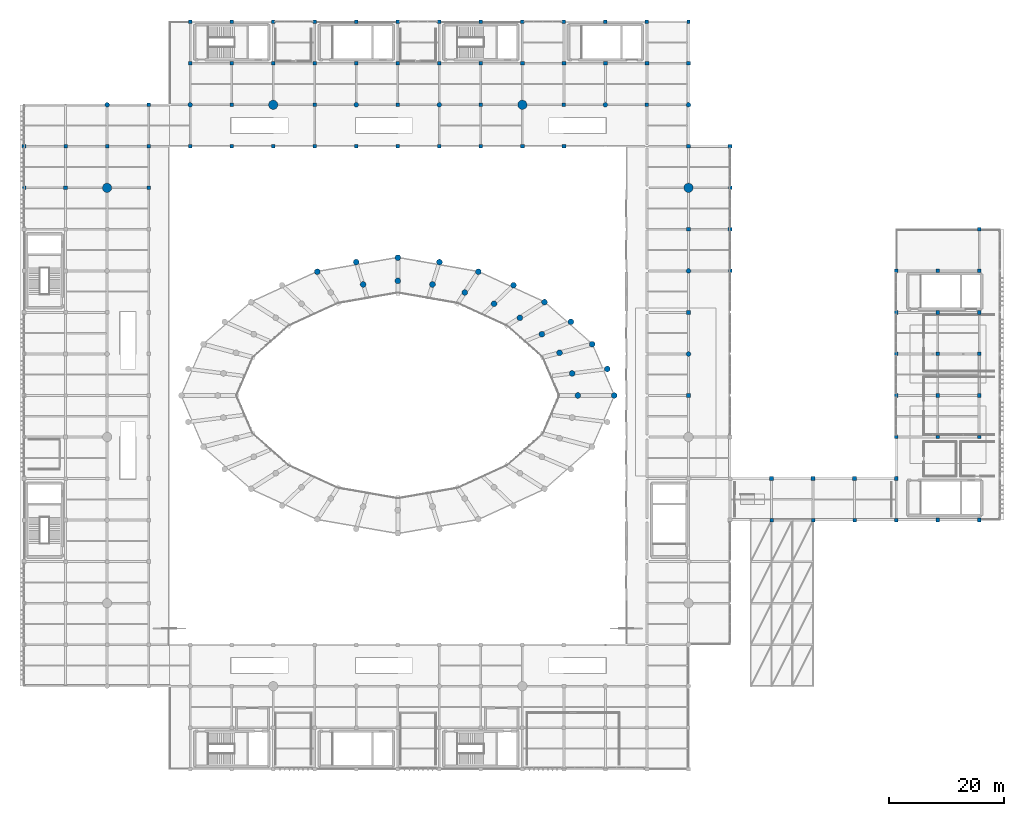
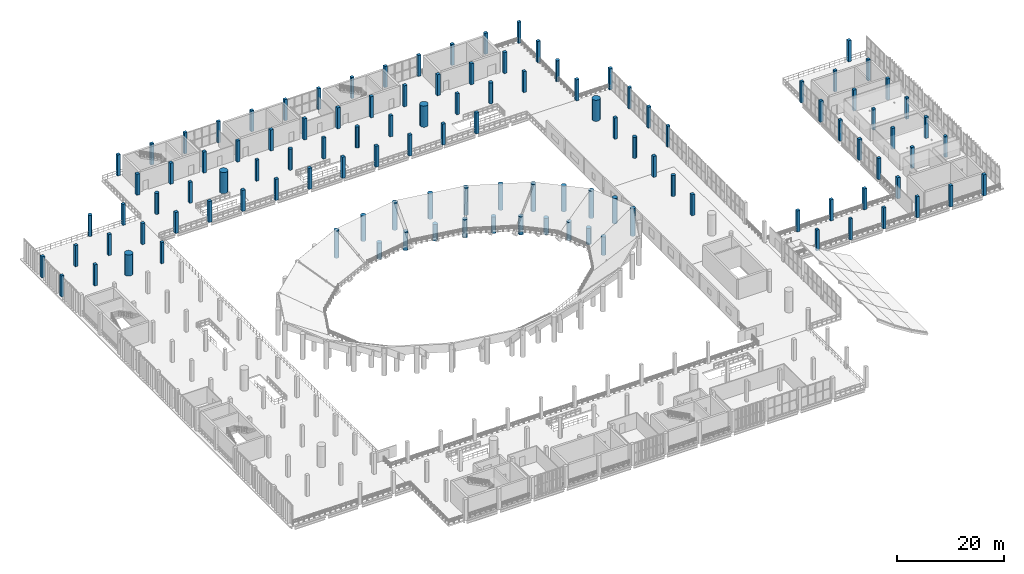
# One storey, part 2 of 105: 117 columns.
"""IFC4 building model written with IfcOpenShell, lengths in metres."""

from ifc_helpers import new_model, si_unit, direction, frame, origin, origin_2d, place, context, subcontext, project, spatial, rectangle, circle, extrude, material, material_profile, profile_set, type_object, element, save


model = new_model("IFC4")

# Units and contexts
model_context = context("Model", 3, precision=1e-05, world=origin(), true_north=direction((0.0, 1.0)))
body_context = subcontext(model_context, "Body", "Model", "MODEL_VIEW")
ifc_project = project(units=[si_unit("LENGTHUNIT", "METRE"), si_unit("AREAUNIT", "SQUARE_METRE"), si_unit("VOLUMEUNIT", "CUBIC_METRE"), si_unit("PLANEANGLEUNIT", "RADIAN"), si_unit("MASSUNIT", "GRAM", prefix="KILO")], contexts=[model_context])

# Site, building, storey
site_placement = place(None, origin())
site = spatial("IfcSite", under=ifc_project, at=site_placement, CompositionType="ELEMENT")
building_placement = place(site_placement, origin())
building = spatial("IfcBuilding", under=site, at=building_placement, Name="Qandorah Velis Arena", CompositionType="ELEMENT")
storey_placement = place(building_placement, frame((0.0, 0.0, 13.800048828125)))
storey = spatial("IfcBuildingStorey", under=building, at=storey_placement, Name="L03", CompositionType="ELEMENT", Elevation=13.800048828125)

# Columns
ifc_material_1 = material(Name="Concrete C50/60", Category="concrete")
ifc_material_profile_1 = material_profile(ifc_material_1, circle(Radius=0.800048828125, at=origin_2d()), Name="MC D1600")
ifc_profile_set_1 = profile_set([ifc_material_profile_1], Name="Concrete C50/60")
column_type_1 = type_object("IfcColumnType", Name="STR-COL-MC1600", PredefinedType="COLUMN", material=ifc_profile_set_1)
for number, where, z_axis, x_axis, name in (
    (1, (14.39990234375, 100.800048828125, 0.0), (0.0, 0.0, 1.0), (1.0, 0.0, 0.0), "Mega column MC3 (L03)"),
    (2, (43.199951171875, 115.199951171875, 0.0), (0.0, 0.0, 1.0), (1.0, 0.0, 0.0), "Mega column MC6 (L03)"),
    (3, (86.39990234375, 115.199951171875, 0.0), (0.0, 0.0, 1.0), (1.0, 0.0, 0.0), "Mega column MC7 (L03)"),
    (4, (115.199951171875, 100.800048828125, 0.0), (0.0, 0.0, 1.0), (1.0, 0.0, 0.0), "Mega column MC10 (L03)"),
):
    element("IfcColumn", number, at=place(storey_placement, frame(where, z_axis=z_axis, x_axis=x_axis)), inside=storey, type_object=column_type_1, Name=name, PredefinedType="COLUMN", context=body_context, shape_type="SweptSolid", body=[
        extrude(circle(Radius=0.800048828125, at=origin_2d()), origin(), (0.0, 0.0, 1.0), 4.800048828125),
    ])
ifc_material_2 = material(Name="Concrete C40/50", Category="concrete")
ifc_material_profile_2 = material_profile(ifc_material_2, rectangle(XDim=0.60009765625, YDim=0.60009765625, at=origin_2d()), Name="RC COL 600x600")
ifc_profile_set_2 = profile_set([ifc_material_profile_2], Name="Concrete C40/50")
column_type_2 = type_object("IfcColumnType", Name="STR-COL-RC600", PredefinedType="COLUMN", material=ifc_profile_set_2)
for number, where, z_axis, x_axis, name in (
    (5, (0.0, 100.800048828125, 0.0), (0.0, 0.0, 1.0), (1.0, 0.0, 0.0), "Structural column L03-011"),
    (6, (7.199951171875, 108.0, 0.0), (0.0, 0.0, 1.0), (1.0, 0.0, 0.0), "Structural column L03-025"),
    (7, (14.39990234375, 108.0, 0.0), (0.0, 0.0, 1.0), (1.0, 0.0, 0.0), "Structural column L03-039"),
    (8, (21.60009765625, 100.800048828125, 0.0), (0.0, 0.0, 1.0), (1.0, 0.0, 0.0), "Structural column L03-053"),
    (9, (21.60009765625, 115.199951171875, 0.0), (0.0, 0.0, 1.0), (1.0, 0.0, 0.0), "Structural column L03-055"),
    (10, (28.800048828125, 129.60009765625, 0.0), (0.0, 0.0, 1.0), (1.0, 0.0, 0.0), "Structural column L03-063"),
    (11, (36.0, 115.199951171875, 0.0), (0.0, 0.0, 1.0), (1.0, 0.0, 0.0), "Structural column L03-069"),
    (12, (36.0, 129.60009765625, 0.0), (0.0, 0.0, 1.0), (1.0, 0.0, 0.0), "Structural column L03-071"),
    (13, (43.199951171875, 129.60009765625, 0.0), (0.0, 0.0, 1.0), (1.0, 0.0, 0.0), "Structural column L03-079"),
    (14, (50.39990234375, 115.199951171875, 0.0), (0.0, 0.0, 1.0), (1.0, 0.0, 0.0), "Structural column L03-085"),
    (15, (50.39990234375, 129.60009765625, 0.0), (0.0, 0.0, 1.0), (1.0, 0.0, 0.0), "Structural column L03-087"),
    (16, (57.60009765625, 129.60009765625, 0.0), (0.0, 0.0, 1.0), (1.0, 0.0, 0.0), "Structural column L03-095"),
    (17, (64.800048828125, 115.199951171875, 0.0), (0.0, 0.0, 1.0), (1.0, 0.0, 0.0), "Structural column L03-101"),
    (18, (64.800048828125, 129.60009765625, 0.0), (0.0, 0.0, 1.0), (1.0, 0.0, 0.0), "Structural column L03-103"),
    (19, (72.0, 129.60009765625, 0.0), (0.0, 0.0, 1.0), (1.0, 0.0, 0.0), "Structural column L03-111"),
    (20, (79.199951171875, 115.199951171875, 0.0), (0.0, 0.0, 1.0), (1.0, 0.0, 0.0), "Structural column L03-117"),
    (21, (79.199951171875, 129.60009765625, 0.0), (0.0, 0.0, 1.0), (1.0, 0.0, 0.0), "Structural column L03-119"),
    (22, (86.39990234375, 129.60009765625, 0.0), (0.0, 0.0, 1.0), (1.0, 0.0, 0.0), "Structural column L03-127"),
    (23, (93.60009765625, 115.199951171875, 0.0), (0.0, 0.0, 1.0), (1.0, 0.0, 0.0), "Structural column L03-133"),
    (24, (93.60009765625, 129.60009765625, 0.0), (0.0, 0.0, 1.0), (1.0, 0.0, 0.0), "Structural column L03-135"),
    (25, (100.800048828125, 129.60009765625, 0.0), (0.0, 0.0, 1.0), (1.0, 0.0, 0.0), "Structural column L03-141"),
    (26, (108.0, 115.199951171875, 0.0), (0.0, 0.0, 1.0), (1.0, 0.0, 0.0), "Structural column L03-145"),
    (27, (108.0, 129.60009765625, 0.0), (0.0, 0.0, 1.0), (1.0, 0.0, 0.0), "Structural column L03-147"),
    (28, (115.199951171875, 129.60009765625, 0.0), (0.0, 0.0, 1.0), (1.0, 0.0, 0.0), "Structural column L03-165"),
    (29, (122.39990234375, 86.39990234375, 0.0), (0.0, 0.0, 1.0), (1.0, 0.0, 0.0), "Structural column L03-169"),
    (30, (122.39990234375, 100.800048828125, 0.0), (0.0, 0.0, 1.0), (1.0, 0.0, 0.0), "Structural column L03-171"),
    (31, (129.60009765625, 43.199951171875, 0.0), (0.0, 0.0, 1.0), (1.0, 0.0, 0.0), "Structural column L03-173"),
    (32, (136.800048828125, 43.199951171875, 0.0), (0.0, 0.0, 1.0), (1.0, 0.0, 0.0), "Structural column L03-175"),
    (33, (144.0, 43.199951171875, 0.0), (0.0, 0.0, 1.0), (1.0, 0.0, 0.0), "Structural column L03-177"),
    (34, (151.199951171875, 43.199951171875, 0.0), (0.0, 0.0, 1.0), (1.0, 0.0, 0.0), "Structural column L03-179"),
    (35, (151.199951171875, 57.60009765625, 0.0), (0.0, 0.0, 1.0), (1.0, 0.0, 0.0), "Structural column L03-181"),
    (36, (151.199951171875, 72.0, 0.0), (0.0, 0.0, 1.0), (1.0, 0.0, 0.0), "Structural column L03-183"),
    (37, (151.199951171875, 86.39990234375, 0.0), (0.0, 0.0, 1.0), (1.0, 0.0, 0.0), "Structural column L03-185"),
    (38, (158.39990234375, 57.60009765625, 0.0), (0.0, 0.0, 1.0), (1.0, 0.0, 0.0), "Structural column L03-187"),
    (39, (158.39990234375, 72.0, 0.0), (0.0, 0.0, 1.0), (1.0, 0.0, 0.0), "Structural column L03-189"),
    (40, (158.39990234375, 86.39990234375, 0.0), (0.0, 0.0, 1.0), (1.0, 0.0, 0.0), "Structural column L03-191"),
    (41, (165.60009765625, 57.60009765625, 0.0), (0.0, 0.0, 1.0), (1.0, 0.0, 0.0), "Structural column L03-193"),
    (42, (165.60009765625, 72.0, 0.0), (0.0, 0.0, 1.0), (1.0, 0.0, 0.0), "Structural column L03-195"),
    (43, (165.60009765625, 86.39990234375, 0.0), (0.0, 0.0, 1.0), (1.0, 0.0, 0.0), "Structural column L03-197"),
):
    element("IfcColumn", number, at=place(storey_placement, frame(where, z_axis=z_axis, x_axis=x_axis)), inside=storey, type_object=column_type_2, Name=name, PredefinedType="COLUMN", context=body_context, shape_type="SweptSolid", body=[
        extrude(rectangle(XDim=0.60009765625, YDim=0.60009765625, at=origin_2d()), origin(), (0.0, 0.0, 1.0), 4.800048828125),
    ])
ifc_material_profile_3 = material_profile(ifc_material_2, rectangle(XDim=0.64990234375, YDim=0.64990234375, at=origin_2d()), Name="RC COL 650x650")
ifc_profile_set_3 = profile_set([ifc_material_profile_3], Name="Concrete C40/50")
column_type_3 = type_object("IfcColumnType", Name="STR-COL-RC650", PredefinedType="COLUMN", material=ifc_profile_set_3)
for number, where, z_axis, x_axis, name in (
    (44, (0.0, 108.0, 0.0), (0.0, 0.0, 1.0), (1.0, 0.0, 0.0), "Structural column L03-012"),
    (45, (7.199951171875, 100.800048828125, 0.0), (0.0, 0.0, 1.0), (1.0, 0.0, 0.0), "Structural column L03-024"),
    (46, (21.60009765625, 108.0, 0.0), (0.0, 0.0, 1.0), (1.0, 0.0, 0.0), "Structural column L03-054"),
    (47, (28.800048828125, 108.0, 0.0), (0.0, 0.0, 1.0), (1.0, 0.0, 0.0), "Structural column L03-060"),
    (48, (28.800048828125, 122.39990234375, 0.0), (0.0, 0.0, 1.0), (1.0, 0.0, 0.0), "Structural column L03-062"),
    (49, (36.0, 108.0, 0.0), (0.0, 0.0, 1.0), (1.0, 0.0, 0.0), "Structural column L03-068"),
    (50, (36.0, 122.39990234375, 0.0), (0.0, 0.0, 1.0), (1.0, 0.0, 0.0), "Structural column L03-070"),
    (51, (43.199951171875, 108.0, 0.0), (0.0, 0.0, 1.0), (1.0, 0.0, 0.0), "Structural column L03-076"),
    (52, (43.199951171875, 122.39990234375, 0.0), (0.0, 0.0, 1.0), (1.0, 0.0, 0.0), "Structural column L03-078"),
    (53, (50.39990234375, 108.0, 0.0), (0.0, 0.0, 1.0), (1.0, 0.0, 0.0), "Structural column L03-084"),
    (54, (50.39990234375, 122.39990234375, 0.0), (0.0, 0.0, 1.0), (1.0, 0.0, 0.0), "Structural column L03-086"),
    (55, (57.60009765625, 108.0, 0.0), (0.0, 0.0, 1.0), (1.0, 0.0, 0.0), "Structural column L03-092"),
    (56, (57.60009765625, 122.39990234375, 0.0), (0.0, 0.0, 1.0), (1.0, 0.0, 0.0), "Structural column L03-094"),
    (57, (64.800048828125, 108.0, 0.0), (0.0, 0.0, 1.0), (1.0, 0.0, 0.0), "Structural column L03-100"),
    (58, (64.800048828125, 122.39990234375, 0.0), (0.0, 0.0, 1.0), (1.0, 0.0, 0.0), "Structural column L03-102"),
    (59, (72.0, 108.0, 0.0), (0.0, 0.0, 1.0), (1.0, 0.0, 0.0), "Structural column L03-108"),
    (60, (72.0, 122.39990234375, 0.0), (0.0, 0.0, 1.0), (1.0, 0.0, 0.0), "Structural column L03-110"),
    (61, (79.199951171875, 108.0, 0.0), (0.0, 0.0, 1.0), (1.0, 0.0, 0.0), "Structural column L03-116"),
    (62, (79.199951171875, 122.39990234375, 0.0), (0.0, 0.0, 1.0), (1.0, 0.0, 0.0), "Structural column L03-118"),
    (63, (86.39990234375, 108.0, 0.0), (0.0, 0.0, 1.0), (1.0, 0.0, 0.0), "Structural column L03-124"),
    (64, (86.39990234375, 122.39990234375, 0.0), (0.0, 0.0, 1.0), (1.0, 0.0, 0.0), "Structural column L03-126"),
    (65, (93.60009765625, 108.0, 0.0), (0.0, 0.0, 1.0), (1.0, 0.0, 0.0), "Structural column L03-132"),
    (66, (93.60009765625, 122.39990234375, 0.0), (0.0, 0.0, 1.0), (1.0, 0.0, 0.0), "Structural column L03-134"),
    (67, (100.800048828125, 122.39990234375, 0.0), (0.0, 0.0, 1.0), (1.0, 0.0, 0.0), "Structural column L03-140"),
    (68, (108.0, 122.39990234375, 0.0), (0.0, 0.0, 1.0), (1.0, 0.0, 0.0), "Structural column L03-146"),
    (69, (115.199951171875, 64.800048828125, 0.0), (0.0, 0.0, 1.0), (1.0, 0.0, 0.0), "Structural column L03-156"),
    (70, (115.199951171875, 79.199951171875, 0.0), (0.0, 0.0, 1.0), (1.0, 0.0, 0.0), "Structural column L03-158"),
    (71, (115.199951171875, 93.60009765625, 0.0), (0.0, 0.0, 1.0), (1.0, 0.0, 0.0), "Structural column L03-160"),
    (72, (115.199951171875, 108.0, 0.0), (0.0, 0.0, 1.0), (1.0, 0.0, 0.0), "Structural column L03-162"),
    (73, (115.199951171875, 122.39990234375, 0.0), (0.0, 0.0, 1.0), (1.0, 0.0, 0.0), "Structural column L03-164"),
    (74, (122.39990234375, 93.60009765625, 0.0), (0.0, 0.0, 1.0), (1.0, 0.0, 0.0), "Structural column L03-170"),
    (75, (122.39990234375, 108.0, 0.0), (0.0, 0.0, 1.0), (1.0, 0.0, 0.0), "Structural column L03-172"),
    (76, (129.60009765625, 50.39990234375, 0.0), (0.0, 0.0, 1.0), (1.0, 0.0, 0.0), "Structural column L03-174"),
    (77, (136.800048828125, 50.39990234375, 0.0), (0.0, 0.0, 1.0), (1.0, 0.0, 0.0), "Structural column L03-176"),
    (78, (144.0, 50.39990234375, 0.0), (0.0, 0.0, 1.0), (1.0, 0.0, 0.0), "Structural column L03-178"),
    (79, (151.199951171875, 50.39990234375, 0.0), (0.0, 0.0, 1.0), (1.0, 0.0, 0.0), "Structural column L03-180"),
    (80, (151.199951171875, 64.800048828125, 0.0), (0.0, 0.0, 1.0), (1.0, 0.0, 0.0), "Structural column L03-182"),
    (81, (151.199951171875, 79.199951171875, 0.0), (0.0, 0.0, 1.0), (1.0, 0.0, 0.0), "Structural column L03-184"),
    (82, (158.39990234375, 43.199951171875, 0.0), (0.0, 0.0, 1.0), (1.0, 0.0, 0.0), "Structural column L03-186"),
    (83, (158.39990234375, 64.800048828125, 0.0), (0.0, 0.0, 1.0), (1.0, 0.0, 0.0), "Structural column L03-188"),
    (84, (158.39990234375, 79.199951171875, 0.0), (0.0, 0.0, 1.0), (1.0, 0.0, 0.0), "Structural column L03-190"),
    (85, (165.60009765625, 43.199951171875, 0.0), (0.0, 0.0, 1.0), (1.0, 0.0, 0.0), "Structural column L03-192"),
    (86, (165.60009765625, 64.800048828125, 0.0), (0.0, 0.0, 1.0), (1.0, 0.0, 0.0), "Structural column L03-194"),
    (87, (165.60009765625, 79.199951171875, 0.0), (0.0, 0.0, 1.0), (1.0, 0.0, 0.0), "Structural column L03-196"),
    (88, (165.60009765625, 93.60009765625, 0.0), (0.0, 0.0, 1.0), (1.0, 0.0, 0.0), "Structural column L03-198"),
):
    element("IfcColumn", number, at=place(storey_placement, frame(where, z_axis=z_axis, x_axis=x_axis)), inside=storey, type_object=column_type_3, Name=name, PredefinedType="COLUMN", context=body_context, shape_type="SweptSolid", body=[
        extrude(rectangle(XDim=0.64990234375, YDim=0.64990234375, at=origin_2d()), origin(), (0.0, 0.0, 1.0), 4.800048828125),
    ])
ifc_material_profile_4 = material_profile(ifc_material_2, circle(Radius=0.5, at=origin_2d()), Name="RC D1000")
ifc_profile_set_4 = profile_set([ifc_material_profile_4], Name="Concrete C40/50")
column_type_4 = type_object("IfcColumnType", Name="STR-COL-RCD1000", PredefinedType="COLUMN", material=ifc_profile_set_4)
column_1_placement = place(storey_placement, frame((96.02001953125, 64.800048828125, -2.255126953125), z_axis=(0.0, 0.0, 1.0), x_axis=(1.0, 0.0, 0.0)))
element("IfcColumn", 89, at=column_1_placement, inside=storey, type_object=column_type_4, Name="Upper raker fulcrum column L03 1.1", PredefinedType="COLUMN", context=body_context, shape_type="SweptSolid", body=[
    extrude(circle(Radius=0.5, at=origin_2d()), origin(), (0.0, 0.0, 1.0), 4.189697265625),
])
column_2_placement = place(storey_placement, frame((102.320068359375, 64.800048828125, -0.09033203125), z_axis=(0.0, 0.0, 1.0), x_axis=(1.0, 0.0, 0.0)))
element("IfcColumn", 90, at=column_2_placement, inside=storey, type_object=column_type_4, Name="Outer bowl raker column L03 1.1", PredefinedType="COLUMN", context=body_context, shape_type="SweptSolid", body=[
    extrude(circle(Radius=0.5, at=origin_2d()), origin(), (0.0, 0.0, 1.0), 6.26025390625),
])
column_3_placement = place(storey_placement, frame((95.02587890625, 68.62841796875, -1.804931640625), z_axis=(0.0, 0.0, 1.0), x_axis=(1.0, 0.0, 0.0)))
element("IfcColumn", 91, at=column_3_placement, inside=storey, type_object=column_type_4, Name="Upper raker fulcrum column L03 1.2", PredefinedType="COLUMN", context=body_context, shape_type="SweptSolid", body=[
    extrude(circle(Radius=0.5, at=origin_2d()), origin(), (0.0, 0.0, 1.0), 3.739501953125),
])
column_4_placement = place(storey_placement, frame((101.12548828125, 69.40087890625, 0.359619140625), z_axis=(0.0, 0.0, 1.0), x_axis=(1.0, 0.0, 0.0)))
element("IfcColumn", 92, at=column_4_placement, inside=storey, type_object=column_type_4, Name="Outer bowl raker column L03 1.2", PredefinedType="COLUMN", context=body_context, shape_type="SweptSolid", body=[
    extrude(circle(Radius=0.5, at=origin_2d()), origin(), (0.0, 0.0, 1.0), 5.810302734375),
])
column_5_placement = place(storey_placement, frame((92.840087890625, 72.195556640625, -2.255126953125), z_axis=(0.0, 0.0, 1.0), x_axis=(1.0, 0.0, 0.0)))
element("IfcColumn", 93, at=column_5_placement, inside=storey, type_object=column_type_4, Name="Upper raker fulcrum column L03 2.1", PredefinedType="COLUMN", context=body_context, shape_type="SweptSolid", body=[
    extrude(circle(Radius=0.5, at=origin_2d()), origin(), (0.0, 0.0, 1.0), 4.189697265625),
])
column_6_placement = place(storey_placement, frame((98.498291015625, 73.68798828125, -0.09033203125), z_axis=(0.0, 0.0, 1.0), x_axis=(1.0, 0.0, 0.0)))
element("IfcColumn", 94, at=column_6_placement, inside=storey, type_object=column_type_4, Name="Outer bowl raker column L03 2.1", PredefinedType="COLUMN", context=body_context, shape_type="SweptSolid", body=[
    extrude(circle(Radius=0.5, at=origin_2d()), origin(), (0.0, 0.0, 1.0), 6.26025390625),
])
column_7_placement = place(storey_placement, frame((89.772216796875, 75.4248046875, -1.804931640625), z_axis=(0.0, 0.0, 1.0), x_axis=(1.0, 0.0, 0.0)))
element("IfcColumn", 95, at=column_7_placement, inside=storey, type_object=column_type_4, Name="Upper raker fulcrum column L03 2.2", PredefinedType="COLUMN", context=body_context, shape_type="SweptSolid", body=[
    extrude(circle(Radius=0.5, at=origin_2d()), origin(), (0.0, 0.0, 1.0), 3.739501953125),
])
column_8_placement = place(storey_placement, frame((94.8115234375, 77.56884765625, 0.359619140625), z_axis=(0.0, 0.0, 1.0), x_axis=(1.0, 0.0, 0.0)))
element("IfcColumn", 96, at=column_8_placement, inside=storey, type_object=column_type_4, Name="Outer bowl raker column L03 2.2", PredefinedType="COLUMN", context=body_context, shape_type="SweptSolid", body=[
    extrude(circle(Radius=0.5, at=origin_2d()), origin(), (0.0, 0.0, 1.0), 5.810302734375),
])
column_9_placement = place(storey_placement, frame((85.959716796875, 78.2734375, -2.255126953125), z_axis=(0.0, 0.0, 1.0), x_axis=(1.0, 0.0, 0.0)))
element("IfcColumn", 97, at=column_9_placement, inside=storey, type_object=column_type_4, Name="Upper raker fulcrum column L03 3.1", PredefinedType="COLUMN", context=body_context, shape_type="SweptSolid", body=[
    extrude(circle(Radius=0.5, at=origin_2d()), origin(), (0.0, 0.0, 1.0), 4.189697265625),
])
column_10_placement = place(storey_placement, frame((90.229736328125, 80.992431640625, -0.09033203125), z_axis=(0.0, 0.0, 1.0), x_axis=(1.0, 0.0, 0.0)))
element("IfcColumn", 98, at=column_10_placement, inside=storey, type_object=column_type_4, Name="Outer bowl raker column L03 3.1", PredefinedType="COLUMN", context=body_context, shape_type="SweptSolid", body=[
    extrude(circle(Radius=0.5, at=origin_2d()), origin(), (0.0, 0.0, 1.0), 6.26025390625),
])
column_11_placement = place(storey_placement, frame((81.486083984375, 80.701171875, -1.804931640625), z_axis=(0.0, 0.0, 1.0), x_axis=(1.0, 0.0, 0.0)))
element("IfcColumn", 99, at=column_11_placement, inside=storey, type_object=column_type_4, Name="Upper raker fulcrum column L03 3.2", PredefinedType="COLUMN", context=body_context, shape_type="SweptSolid", body=[
    extrude(circle(Radius=0.5, at=origin_2d()), origin(), (0.0, 0.0, 1.0), 3.739501953125),
])
column_12_placement = place(storey_placement, frame((84.85302734375, 83.909912109375, 0.359619140625), z_axis=(0.0, 0.0, 1.0), x_axis=(1.0, 0.0, 0.0)))
element("IfcColumn", 100, at=column_12_placement, inside=storey, type_object=column_type_4, Name="Outer bowl raker column L03 3.2", PredefinedType="COLUMN", context=body_context, shape_type="SweptSolid", body=[
    extrude(circle(Radius=0.5, at=origin_2d()), origin(), (0.0, 0.0, 1.0), 5.810302734375),
])
column_13_placement = place(storey_placement, frame((76.41455078125, 82.654541015625, -2.255126953125), z_axis=(0.0, 0.0, 1.0), x_axis=(1.0, 0.0, 0.0)))
element("IfcColumn", 101, at=column_13_placement, inside=storey, type_object=column_type_4, Name="Upper raker fulcrum column L03 4.1", PredefinedType="COLUMN", context=body_context, shape_type="SweptSolid", body=[
    extrude(circle(Radius=0.5, at=origin_2d()), origin(), (0.0, 0.0, 1.0), 4.189697265625),
])
column_14_placement = place(storey_placement, frame((78.75830078125, 86.25732421875, -0.09033203125), z_axis=(0.0, 0.0, 1.0), x_axis=(1.0, 0.0, 0.0)))
element("IfcColumn", 102, at=column_14_placement, inside=storey, type_object=column_type_4, Name="Outer bowl raker column L03 4.1", PredefinedType="COLUMN", context=body_context, shape_type="SweptSolid", body=[
    extrude(circle(Radius=0.5, at=origin_2d()), origin(), (0.0, 0.0, 1.0), 6.26025390625),
])
column_15_placement = place(storey_placement, frame((70.812255859375, 84.04638671875, -1.804931640625), z_axis=(0.0, 0.0, 1.0), x_axis=(1.0, 0.0, 0.0)))
element("IfcColumn", 103, at=column_15_placement, inside=storey, type_object=column_type_4, Name="Upper raker fulcrum column L03 4.2", PredefinedType="COLUMN", context=body_context, shape_type="SweptSolid", body=[
    extrude(circle(Radius=0.5, at=origin_2d()), origin(), (0.0, 0.0, 1.0), 3.739501953125),
])
column_16_placement = place(storey_placement, frame((72.025634765625, 87.930419921875, 0.359619140625), z_axis=(0.0, 0.0, 1.0), x_axis=(1.0, 0.0, 0.0)))
element("IfcColumn", 104, at=column_16_placement, inside=storey, type_object=column_type_4, Name="Outer bowl raker column L03 4.2", PredefinedType="COLUMN", context=body_context, shape_type="SweptSolid", body=[
    extrude(circle(Radius=0.5, at=origin_2d()), origin(), (0.0, 0.0, 1.0), 5.810302734375),
])
column_17_placement = place(storey_placement, frame((64.800048828125, 84.679443359375, -2.255126953125), z_axis=(0.0, 0.0, 1.0), x_axis=(1.0, 0.0, 0.0)))
element("IfcColumn", 105, at=column_17_placement, inside=storey, type_object=column_type_4, Name="Upper raker fulcrum column L03 5.1", PredefinedType="COLUMN", context=body_context, shape_type="SweptSolid", body=[
    extrude(circle(Radius=0.5, at=origin_2d()), origin(), (0.0, 0.0, 1.0), 4.189697265625),
])
column_18_placement = place(storey_placement, frame((64.800048828125, 88.69091796875, -0.09033203125), z_axis=(0.0, 0.0, 1.0), x_axis=(1.0, 0.0, 0.0)))
element("IfcColumn", 106, at=column_18_placement, inside=storey, type_object=column_type_4, Name="Outer bowl raker column L03 5.1", PredefinedType="COLUMN", context=body_context, shape_type="SweptSolid", body=[
    extrude(circle(Radius=0.5, at=origin_2d()), origin(), (0.0, 0.0, 1.0), 6.26025390625),
])
column_19_placement = place(storey_placement, frame((58.78759765625, 84.04638671875, -1.804931640625), z_axis=(0.0, 0.0, 1.0), x_axis=(1.0, 0.0, 0.0)))
element("IfcColumn", 107, at=column_19_placement, inside=storey, type_object=column_type_4, Name="Upper raker fulcrum column L03 5.2", PredefinedType="COLUMN", context=body_context, shape_type="SweptSolid", body=[
    extrude(circle(Radius=0.5, at=origin_2d()), origin(), (0.0, 0.0, 1.0), 3.739501953125),
])
column_20_placement = place(storey_placement, frame((57.574462890625, 87.930419921875, 0.359619140625), z_axis=(0.0, 0.0, 1.0), x_axis=(1.0, 0.0, 0.0)))
element("IfcColumn", 108, at=column_20_placement, inside=storey, type_object=column_type_4, Name="Outer bowl raker column L03 5.2", PredefinedType="COLUMN", context=body_context, shape_type="SweptSolid", body=[
    extrude(circle(Radius=0.5, at=origin_2d()), origin(), (0.0, 0.0, 1.0), 5.810302734375),
])
column_21_placement = place(storey_placement, frame((50.841796875, 86.25732421875, -0.09033203125), z_axis=(0.0, 0.0, 1.0), x_axis=(1.0, 0.0, 0.0)))
element("IfcColumn", 109, at=column_21_placement, inside=storey, type_object=column_type_4, Name="Outer bowl raker column L03 6.1", PredefinedType="COLUMN", context=body_context, shape_type="SweptSolid", body=[
    extrude(circle(Radius=0.5, at=origin_2d()), origin(), (0.0, 0.0, 1.0), 6.26025390625),
])
ifc_material_profile_5 = material_profile(ifc_material_2, circle(Radius=0.39990234375, at=origin_2d()), Name="RC D800")
ifc_profile_set_5 = profile_set([ifc_material_profile_5], Name="Concrete C40/50")
column_type_5 = type_object("IfcColumnType", Name="STR-COL-RCD800", PredefinedType="COLUMN", material=ifc_profile_set_5)
for number, where, z_axis, x_axis, name in (
    (110, (14.39990234375, 115.199951171875, 0.0), (0.0, 0.0, 1.0), (1.0, 0.0, 0.0), "Bowl drum ring column L03-040"),
    (111, (28.800048828125, 115.199951171875, 0.0), (0.0, 0.0, 1.0), (1.0, 0.0, 0.0), "Bowl drum ring column L03-061"),
    (112, (57.60009765625, 115.199951171875, 0.0), (0.0, 0.0, 1.0), (1.0, 0.0, 0.0), "Bowl drum ring column L03-093"),
    (113, (72.0, 115.199951171875, 0.0), (0.0, 0.0, 1.0), (1.0, 0.0, 0.0), "Bowl drum ring column L03-109"),
    (114, (100.800048828125, 115.199951171875, 0.0), (0.0, 0.0, 1.0), (1.0, 0.0, 0.0), "Bowl drum ring column L03-139"),
    (115, (115.199951171875, 72.0, 0.0), (0.0, 0.0, 1.0), (1.0, 0.0, 0.0), "Bowl drum ring column L03-157"),
    (116, (115.199951171875, 86.39990234375, 0.0), (0.0, 0.0, 1.0), (1.0, 0.0, 0.0), "Bowl drum ring column L03-159"),
    (117, (115.199951171875, 115.199951171875, 0.0), (0.0, 0.0, 1.0), (1.0, 0.0, 0.0), "Bowl drum ring column L03-163"),
):
    element("IfcColumn", number, at=place(storey_placement, frame(where, z_axis=z_axis, x_axis=x_axis)), inside=storey, type_object=column_type_5, Name=name, PredefinedType="COLUMN", context=body_context, shape_type="SweptSolid", body=[
        extrude(circle(Radius=0.39990234375, at=origin_2d()), origin(), (0.0, 0.0, 1.0), 4.800048828125),
    ])

save(model, "model.ifc")
